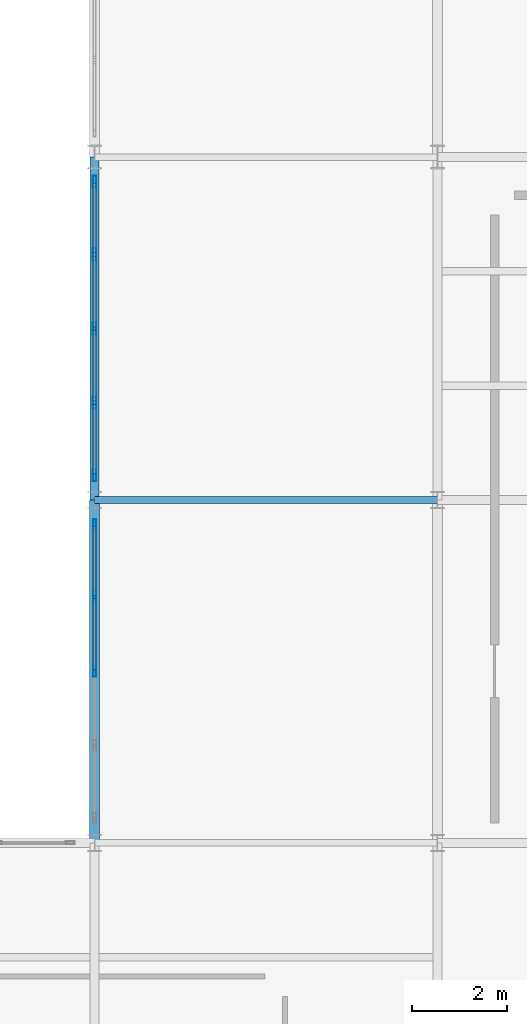
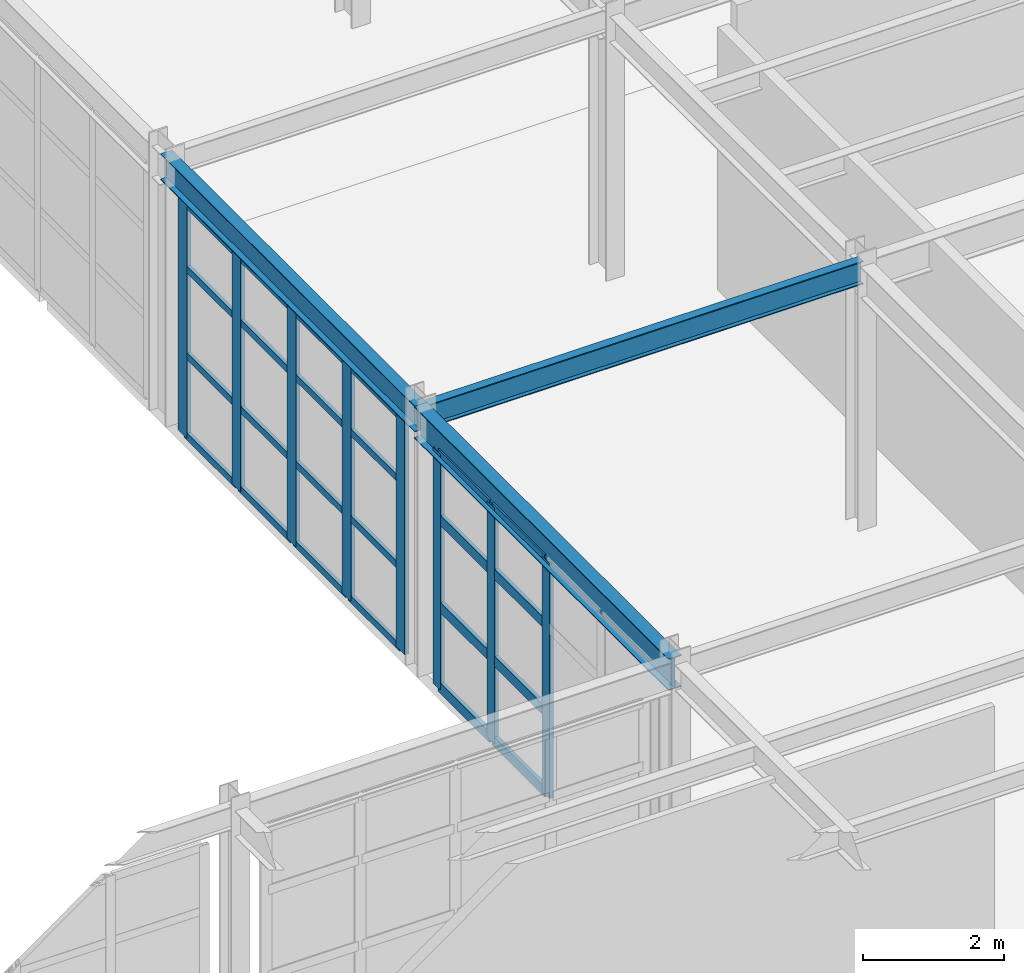
# One storey, part 34 of 121: 32 members, 3 beams, 2 elements without a shape of their own.
"""IFC4 building model written with IfcOpenShell, lengths in metres."""

from ifc_helpers import new_model, si_unit, direction, frame, origin, origin_2d, place, context, subcontext, project, spatial, hollow_rectangle, i_section, extrude, material, layer, layer_set, material_profile, profile_set, type_object, element, aggregate, save


model = new_model("IFC4")

# Units and contexts
model_context = context("Model", 3, precision=1e-05, world=origin(), true_north=direction((0.0, 1.0)))
body_context = subcontext(model_context, "Body", "Model", "MODEL_VIEW")
ifc_project = project(units=[si_unit("LENGTHUNIT", "METRE"), si_unit("AREAUNIT", "SQUARE_METRE"), si_unit("VOLUMEUNIT", "CUBIC_METRE"), si_unit("PLANEANGLEUNIT", "RADIAN"), si_unit("MASSUNIT", "GRAM", prefix="KILO")], contexts=[model_context])

# Site, building, storey
site_placement = place(None, origin())
site = spatial("IfcSite", under=ifc_project, at=site_placement, CompositionType="ELEMENT")
building_placement = place(site_placement, origin())
building = spatial("IfcBuilding", under=site, at=building_placement, Name="Solvadek Multi-Sports Hall", CompositionType="ELEMENT")
storey_placement = place(building_placement, frame((0.0, 0.0, 4.800048828125)))
storey = spatial("IfcBuildingStorey", under=building, at=storey_placement, Name="L01", CompositionType="ELEMENT", Elevation=4.800048828125)

# Curtain wall, members
ifc_material_1 = material(Name="Anodised aluminium", Category="aluminium")
ifc_layer_1 = layer(ifc_material_1, 0.159912109375, Name="Anodised aluminium")
ifc_layer_set_1 = layer_set([ifc_layer_1], Name="Anodised aluminium")
curtain_wall_type_1 = type_object("IfcCurtainWallType", Name="ENV-CW-624X408", PredefinedType="USERDEFINED", material=ifc_layer_set_1)
curtain_wall_1_placement = place(storey_placement, origin())
curtain_wall_1 = element("IfcCurtainWall", 1, at=curtain_wall_1_placement, inside=storey, type_object=curtain_wall_type_1, Name="L01 Perimeter Bay Curtain Wall #184", ObjectType="CURTAIN WALL", PredefinedType="USERDEFINED")
ifc_material_profile_1 = material_profile(ifc_material_1, hollow_rectangle(XDim=0.06494140625, YDim=0.219970703125, WallThickness=0.0048828125, at=origin_2d()), Name="ALU-M 220x65x5")
ifc_profile_set_1 = profile_set([ifc_material_profile_1], Name="Anodised aluminium")
member_type_1 = type_object("IfcMemberType", Name="ENV-CWM-04", PredefinedType="MULLION", material=ifc_profile_set_1)
member_1_placement = place(storey_placement, frame((57.60009765625, 24.0, 0.0), z_axis=(0.0, 0.0, 1.0), x_axis=(-1.0, 0.0, 0.0)))
member_1 = element("IfcMember", 2, at=member_1_placement, type_object=member_type_1, Name="CW-40 mullion 3", PredefinedType="MULLION", context=body_context, shape_type="SweptSolid", body=[
    extrude(hollow_rectangle(XDim=0.06494140625, YDim=0.219970703125, WallThickness=0.0048828125, at=origin_2d()), origin(), (0.0, 0.0, 1.0), 4.074951171875),
])
member_2_placement = place(storey_placement, frame((57.60009765625, 25.56005859375, 0.0), z_axis=(0.0, 0.0, 1.0), x_axis=(-1.0, 0.0, 0.0)))
member_2 = element("IfcMember", 3, at=member_2_placement, type_object=member_type_1, Name="CW-40 mullion 4", PredefinedType="MULLION", context=body_context, shape_type="SweptSolid", body=[
    extrude(hollow_rectangle(XDim=0.06494140625, YDim=0.219970703125, WallThickness=0.0048828125, at=origin_2d()), origin(), (0.0, 0.0, 1.0), 4.074951171875),
])
member_3_placement = place(storey_placement, frame((57.60009765625, 27.08740234375, 0.0), z_axis=(0.0, 0.0, 1.0), x_axis=(-1.0, 0.0, 0.0)))
member_3 = element("IfcMember", 4, at=member_3_placement, type_object=member_type_1, Name="CW-40 mullion 5", PredefinedType="MULLION", context=body_context, shape_type="SweptSolid", body=[
    extrude(hollow_rectangle(XDim=0.06494140625, YDim=0.219970703125, WallThickness=0.0048828125, at=origin_2d()), origin(), (0.0, 0.0, 1.0), 4.074951171875),
])

ifc_layer_2 = layer(ifc_material_1, 0.159912109375, Name="Anodised aluminium")
ifc_layer_set_2 = layer_set([ifc_layer_2], Name="Anodised aluminium")
curtain_wall_type_2 = type_object("IfcCurtainWallType", Name="ENV-CW-624X405", PredefinedType="USERDEFINED", material=ifc_layer_set_2)
curtain_wall_2_placement = place(storey_placement, origin())
curtain_wall_2 = element("IfcCurtainWall", 5, at=curtain_wall_2_placement, inside=storey, type_object=curtain_wall_type_2, Name="L01 Perimeter Bay Curtain Wall #190", ObjectType="CURTAIN WALL", PredefinedType="USERDEFINED")
ifc_material_profile_2 = material_profile(ifc_material_1, hollow_rectangle(XDim=0.070068359375, YDim=0.25, WallThickness=0.0048828125, at=origin_2d()), Name="ALU-M 250x70x5")
ifc_profile_set_2 = profile_set([ifc_material_profile_2], Name="Anodised aluminium")
member_type_2 = type_object("IfcMemberType", Name="ENV-CWM-05", PredefinedType="MULLION", material=ifc_profile_set_2)
member_4_placement = place(storey_placement, frame((57.60009765625, 28.114990234375, 0.0), z_axis=(0.0, 0.0, 1.0), x_axis=(-1.0, 0.0, 0.0)))
member_4 = element("IfcMember", 6, at=member_4_placement, type_object=member_type_2, Name="CW-52 mullion 1", PredefinedType="MULLION", context=body_context, shape_type="SweptSolid", body=[
    extrude(hollow_rectangle(XDim=0.070068359375, YDim=0.25, WallThickness=0.0048828125, at=origin_2d()), origin(), (0.0, 0.0, 1.0), 4.050048828125),
])
member_5_placement = place(storey_placement, frame((57.60009765625, 29.639892578125, 0.0), z_axis=(0.0, 0.0, 1.0), x_axis=(-1.0, 0.0, 0.0)))
member_5 = element("IfcMember", 7, at=member_5_placement, type_object=member_type_2, Name="CW-52 mullion 2", PredefinedType="MULLION", context=body_context, shape_type="SweptSolid", body=[
    extrude(hollow_rectangle(XDim=0.070068359375, YDim=0.25, WallThickness=0.0048828125, at=origin_2d()), origin(), (0.0, 0.0, 1.0), 4.050048828125),
])
member_6_placement = place(storey_placement, frame((57.60009765625, 31.199951171875, 0.0), z_axis=(0.0, 0.0, 1.0), x_axis=(-1.0, 0.0, 0.0)))
member_6 = element("IfcMember", 8, at=member_6_placement, type_object=member_type_2, Name="CW-52 mullion 3", PredefinedType="MULLION", context=body_context, shape_type="SweptSolid", body=[
    extrude(hollow_rectangle(XDim=0.070068359375, YDim=0.25, WallThickness=0.0048828125, at=origin_2d()), origin(), (0.0, 0.0, 1.0), 4.050048828125),
])
member_7_placement = place(storey_placement, frame((57.60009765625, 32.760009765625, 0.0), z_axis=(0.0, 0.0, 1.0), x_axis=(-1.0, 0.0, 0.0)))
member_7 = element("IfcMember", 9, at=member_7_placement, type_object=member_type_2, Name="CW-52 mullion 4", PredefinedType="MULLION", context=body_context, shape_type="SweptSolid", body=[
    extrude(hollow_rectangle(XDim=0.070068359375, YDim=0.25, WallThickness=0.0048828125, at=origin_2d()), origin(), (0.0, 0.0, 1.0), 4.050048828125),
])
member_8_placement = place(storey_placement, frame((57.60009765625, 34.284912109375, 0.0), z_axis=(0.0, 0.0, 1.0), x_axis=(-1.0, 0.0, 0.0)))
member_8 = element("IfcMember", 10, at=member_8_placement, type_object=member_type_2, Name="CW-52 mullion 5", PredefinedType="MULLION", context=body_context, shape_type="SweptSolid", body=[
    extrude(hollow_rectangle(XDim=0.070068359375, YDim=0.25, WallThickness=0.0048828125, at=origin_2d()), origin(), (0.0, 0.0, 1.0), 4.050048828125),
])
ifc_material_profile_3 = material_profile(ifc_material_1, hollow_rectangle(XDim=0.06005859375, YDim=0.1201171875, WallThickness=0.00390625, at=origin_2d()), Name="ALU-T 120x60x4")
ifc_profile_set_3 = profile_set([ifc_material_profile_3], Name="Anodised aluminium")
member_type_3 = type_object("IfcMemberType", Name="ENV-CWT-01", PredefinedType="USERDEFINED", material=ifc_profile_set_3)
member_9_placement = place(storey_placement, frame((57.60009765625, 28.14990234375, 0.030029296875), z_axis=(0.0, 1.0, 0.0), x_axis=(-1.0, 0.0, 0.0)))
member_9 = element("IfcMember", 11, at=member_9_placement, type_object=member_type_3, Name="CW-52 transom 1.1", ObjectType="TRANSOM", PredefinedType="USERDEFINED", context=body_context, shape_type="SweptSolid", body=[
    extrude(hollow_rectangle(XDim=0.06005859375, YDim=0.1201171875, WallThickness=0.00390625, at=origin_2d()), origin(), (0.0, 0.0, 1.0), 1.455078125),
])
member_10_placement = place(storey_placement, frame((57.60009765625, 28.14990234375, 1.4169921875), z_axis=(0.0, 1.0, 0.0), x_axis=(-1.0, 0.0, 0.0)))
member_10 = element("IfcMember", 12, at=member_10_placement, type_object=member_type_3, Name="CW-52 transom 1.2", ObjectType="TRANSOM", PredefinedType="USERDEFINED", context=body_context, shape_type="SweptSolid", body=[
    extrude(hollow_rectangle(XDim=0.06005859375, YDim=0.1201171875, WallThickness=0.00390625, at=origin_2d()), origin(), (0.0, 0.0, 1.0), 1.455078125),
])
member_11_placement = place(storey_placement, frame((57.60009765625, 28.14990234375, 2.916015625), z_axis=(0.0, 1.0, 0.0), x_axis=(-1.0, 0.0, 0.0)))
member_11 = element("IfcMember", 13, at=member_11_placement, type_object=member_type_3, Name="CW-52 transom 1.3", ObjectType="TRANSOM", PredefinedType="USERDEFINED", context=body_context, shape_type="SweptSolid", body=[
    extrude(hollow_rectangle(XDim=0.06005859375, YDim=0.1201171875, WallThickness=0.00390625, at=origin_2d()), origin(), (0.0, 0.0, 1.0), 1.455078125),
])
member_12_placement = place(storey_placement, frame((57.60009765625, 28.14990234375, 4.02001953125), z_axis=(0.0, 1.0, 0.0), x_axis=(-1.0, 0.0, 0.0)))
member_12 = element("IfcMember", 14, at=member_12_placement, type_object=member_type_3, Name="CW-52 transom 1.4", ObjectType="TRANSOM", PredefinedType="USERDEFINED", context=body_context, shape_type="SweptSolid", body=[
    extrude(hollow_rectangle(XDim=0.06005859375, YDim=0.1201171875, WallThickness=0.00390625, at=origin_2d()), origin(), (0.0, 0.0, 1.0), 1.455078125),
])
member_13_placement = place(storey_placement, frame((57.60009765625, 29.675048828125, 0.030029296875), z_axis=(0.0, 1.0, 0.0), x_axis=(-1.0, 0.0, 0.0)))
member_13 = element("IfcMember", 15, at=member_13_placement, type_object=member_type_3, Name="CW-52 transom 2.1", ObjectType="TRANSOM", PredefinedType="USERDEFINED", context=body_context, shape_type="SweptSolid", body=[
    extrude(hollow_rectangle(XDim=0.06005859375, YDim=0.1201171875, WallThickness=0.00390625, at=origin_2d()), origin(), (0.0, 0.0, 1.0), 1.489990234375),
])
member_14_placement = place(storey_placement, frame((57.60009765625, 29.675048828125, 1.4169921875), z_axis=(0.0, 1.0, 0.0), x_axis=(-1.0, 0.0, 0.0)))
member_14 = element("IfcMember", 16, at=member_14_placement, type_object=member_type_3, Name="CW-52 transom 2.2", ObjectType="TRANSOM", PredefinedType="USERDEFINED", context=body_context, shape_type="SweptSolid", body=[
    extrude(hollow_rectangle(XDim=0.06005859375, YDim=0.1201171875, WallThickness=0.00390625, at=origin_2d()), origin(), (0.0, 0.0, 1.0), 1.489990234375),
])
member_15_placement = place(storey_placement, frame((57.60009765625, 29.675048828125, 2.916015625), z_axis=(0.0, 1.0, 0.0), x_axis=(-1.0, 0.0, 0.0)))
member_15 = element("IfcMember", 17, at=member_15_placement, type_object=member_type_3, Name="CW-52 transom 2.3", ObjectType="TRANSOM", PredefinedType="USERDEFINED", context=body_context, shape_type="SweptSolid", body=[
    extrude(hollow_rectangle(XDim=0.06005859375, YDim=0.1201171875, WallThickness=0.00390625, at=origin_2d()), origin(), (0.0, 0.0, 1.0), 1.489990234375),
])
member_16_placement = place(storey_placement, frame((57.60009765625, 29.675048828125, 4.02001953125), z_axis=(0.0, 1.0, 0.0), x_axis=(-1.0, 0.0, 0.0)))
member_16 = element("IfcMember", 18, at=member_16_placement, type_object=member_type_3, Name="CW-52 transom 2.4", ObjectType="TRANSOM", PredefinedType="USERDEFINED", context=body_context, shape_type="SweptSolid", body=[
    extrude(hollow_rectangle(XDim=0.06005859375, YDim=0.1201171875, WallThickness=0.00390625, at=origin_2d()), origin(), (0.0, 0.0, 1.0), 1.489990234375),
])
member_17_placement = place(storey_placement, frame((57.60009765625, 31.235107421875, 0.030029296875), z_axis=(0.0, 1.0, 0.0), x_axis=(-1.0, 0.0, 0.0)))
member_17 = element("IfcMember", 19, at=member_17_placement, type_object=member_type_3, Name="CW-52 transom 3.1", ObjectType="TRANSOM", PredefinedType="USERDEFINED", context=body_context, shape_type="SweptSolid", body=[
    extrude(hollow_rectangle(XDim=0.06005859375, YDim=0.1201171875, WallThickness=0.00390625, at=origin_2d()), origin(), (0.0, 0.0, 1.0), 1.489990234375),
])
member_18_placement = place(storey_placement, frame((57.60009765625, 31.235107421875, 1.4169921875), z_axis=(0.0, 1.0, 0.0), x_axis=(-1.0, 0.0, 0.0)))
member_18 = element("IfcMember", 20, at=member_18_placement, type_object=member_type_3, Name="CW-52 transom 3.2", ObjectType="TRANSOM", PredefinedType="USERDEFINED", context=body_context, shape_type="SweptSolid", body=[
    extrude(hollow_rectangle(XDim=0.06005859375, YDim=0.1201171875, WallThickness=0.00390625, at=origin_2d()), origin(), (0.0, 0.0, 1.0), 1.489990234375),
])
member_19_placement = place(storey_placement, frame((57.60009765625, 31.235107421875, 2.916015625), z_axis=(0.0, 1.0, 0.0), x_axis=(-1.0, 0.0, 0.0)))
member_19 = element("IfcMember", 21, at=member_19_placement, type_object=member_type_3, Name="CW-52 transom 3.3", ObjectType="TRANSOM", PredefinedType="USERDEFINED", context=body_context, shape_type="SweptSolid", body=[
    extrude(hollow_rectangle(XDim=0.06005859375, YDim=0.1201171875, WallThickness=0.00390625, at=origin_2d()), origin(), (0.0, 0.0, 1.0), 1.489990234375),
])
member_20_placement = place(storey_placement, frame((57.60009765625, 31.235107421875, 4.02001953125), z_axis=(0.0, 1.0, 0.0), x_axis=(-1.0, 0.0, 0.0)))
member_20 = element("IfcMember", 22, at=member_20_placement, type_object=member_type_3, Name="CW-52 transom 3.4", ObjectType="TRANSOM", PredefinedType="USERDEFINED", context=body_context, shape_type="SweptSolid", body=[
    extrude(hollow_rectangle(XDim=0.06005859375, YDim=0.1201171875, WallThickness=0.00390625, at=origin_2d()), origin(), (0.0, 0.0, 1.0), 1.489990234375),
])
member_21_placement = place(storey_placement, frame((57.60009765625, 32.794921875, 0.030029296875), z_axis=(0.0, 1.0, 0.0), x_axis=(-1.0, 0.0, 0.0)))
member_21 = element("IfcMember", 23, at=member_21_placement, type_object=member_type_3, Name="CW-52 transom 4.1", ObjectType="TRANSOM", PredefinedType="USERDEFINED", context=body_context, shape_type="SweptSolid", body=[
    extrude(hollow_rectangle(XDim=0.06005859375, YDim=0.1201171875, WallThickness=0.00390625, at=origin_2d()), origin(), (0.0, 0.0, 1.0), 1.455078125),
])
member_22_placement = place(storey_placement, frame((57.60009765625, 32.794921875, 1.4169921875), z_axis=(0.0, 1.0, 0.0), x_axis=(-1.0, 0.0, 0.0)))
member_22 = element("IfcMember", 24, at=member_22_placement, type_object=member_type_3, Name="CW-52 transom 4.2", ObjectType="TRANSOM", PredefinedType="USERDEFINED", context=body_context, shape_type="SweptSolid", body=[
    extrude(hollow_rectangle(XDim=0.06005859375, YDim=0.1201171875, WallThickness=0.00390625, at=origin_2d()), origin(), (0.0, 0.0, 1.0), 1.455078125),
])
member_23_placement = place(storey_placement, frame((57.60009765625, 32.794921875, 2.916015625), z_axis=(0.0, 1.0, 0.0), x_axis=(-1.0, 0.0, 0.0)))
member_23 = element("IfcMember", 25, at=member_23_placement, type_object=member_type_3, Name="CW-52 transom 4.3", ObjectType="TRANSOM", PredefinedType="USERDEFINED", context=body_context, shape_type="SweptSolid", body=[
    extrude(hollow_rectangle(XDim=0.06005859375, YDim=0.1201171875, WallThickness=0.00390625, at=origin_2d()), origin(), (0.0, 0.0, 1.0), 1.455078125),
])
member_24_placement = place(storey_placement, frame((57.60009765625, 32.794921875, 4.02001953125), z_axis=(0.0, 1.0, 0.0), x_axis=(-1.0, 0.0, 0.0)))
member_24 = element("IfcMember", 26, at=member_24_placement, type_object=member_type_3, Name="CW-52 transom 4.4", ObjectType="TRANSOM", PredefinedType="USERDEFINED", context=body_context, shape_type="SweptSolid", body=[
    extrude(hollow_rectangle(XDim=0.06005859375, YDim=0.1201171875, WallThickness=0.00390625, at=origin_2d()), origin(), (0.0, 0.0, 1.0), 1.455078125),
])
aggregate(curtain_wall_2, [member_4, member_5, member_6, member_7, member_8, member_9, member_10, member_11, member_12, member_13, member_14, member_15, member_16, member_17, member_18, member_19, member_20, member_21, member_22, member_23, member_24])

# Member
ifc_material_profile_4 = material_profile(ifc_material_1, hollow_rectangle(XDim=0.06494140625, YDim=0.179931640625, WallThickness=0.0048828125, at=origin_2d()), Name="ALU-T 180x65x5")
ifc_profile_set_4 = profile_set([ifc_material_profile_4], Name="Anodised aluminium")
member_type_4 = type_object("IfcMemberType", Name="ENV-CWT-04", PredefinedType="USERDEFINED", material=ifc_profile_set_4)
member_25_placement = place(storey_placement, frame((57.60009765625, 24.032470703125, 0.032470703125), z_axis=(0.0, 1.0, 0.0), x_axis=(-1.0, 0.0, 0.0)))
member_25 = element("IfcMember", 27, at=member_25_placement, type_object=member_type_4, Name="CW-40 transom 3.1", ObjectType="TRANSOM", PredefinedType="USERDEFINED", context=body_context, shape_type="SweptSolid", body=[
    extrude(hollow_rectangle(XDim=0.06494140625, YDim=0.179931640625, WallThickness=0.0048828125, at=origin_2d()), origin(), (0.0, 0.0, 1.0), 1.4951171875),
])

member_26_placement = place(storey_placement, frame((57.60009765625, 24.032470703125, 1.426025390625), z_axis=(0.0, 1.0, 0.0), x_axis=(-1.0, 0.0, 0.0)))
member_26 = element("IfcMember", 28, at=member_26_placement, type_object=member_type_4, Name="CW-40 transom 3.2", ObjectType="TRANSOM", PredefinedType="USERDEFINED", context=body_context, shape_type="SweptSolid", body=[
    extrude(hollow_rectangle(XDim=0.06494140625, YDim=0.179931640625, WallThickness=0.0048828125, at=origin_2d()), origin(), (0.0, 0.0, 1.0), 1.4951171875),
])

member_27_placement = place(storey_placement, frame((57.60009765625, 24.032470703125, 2.933837890625), z_axis=(0.0, 1.0, 0.0), x_axis=(-1.0, 0.0, 0.0)))
member_27 = element("IfcMember", 29, at=member_27_placement, type_object=member_type_4, Name="CW-40 transom 3.3", ObjectType="TRANSOM", PredefinedType="USERDEFINED", context=body_context, shape_type="SweptSolid", body=[
    extrude(hollow_rectangle(XDim=0.06494140625, YDim=0.179931640625, WallThickness=0.0048828125, at=origin_2d()), origin(), (0.0, 0.0, 1.0), 1.4951171875),
])

member_28_placement = place(storey_placement, frame((57.60009765625, 24.032470703125, 4.04248046875), z_axis=(0.0, 1.0, 0.0), x_axis=(-1.0, 0.0, 0.0)))
member_28 = element("IfcMember", 30, at=member_28_placement, type_object=member_type_4, Name="CW-40 transom 3.4", ObjectType="TRANSOM", PredefinedType="USERDEFINED", context=body_context, shape_type="SweptSolid", body=[
    extrude(hollow_rectangle(XDim=0.06494140625, YDim=0.179931640625, WallThickness=0.0048828125, at=origin_2d()), origin(), (0.0, 0.0, 1.0), 1.4951171875),
])

member_29_placement = place(storey_placement, frame((57.60009765625, 25.592529296875, 0.032470703125), z_axis=(0.0, 1.0, 0.0), x_axis=(-1.0, 0.0, 0.0)))
member_29 = element("IfcMember", 31, at=member_29_placement, type_object=member_type_4, Name="CW-40 transom 4.1", ObjectType="TRANSOM", PredefinedType="USERDEFINED", context=body_context, shape_type="SweptSolid", body=[
    extrude(hollow_rectangle(XDim=0.06494140625, YDim=0.179931640625, WallThickness=0.0048828125, at=origin_2d()), origin(), (0.0, 0.0, 1.0), 1.46240234375),
])

member_30_placement = place(storey_placement, frame((57.60009765625, 25.592529296875, 1.426025390625), z_axis=(0.0, 1.0, 0.0), x_axis=(-1.0, 0.0, 0.0)))
member_30 = element("IfcMember", 32, at=member_30_placement, type_object=member_type_4, Name="CW-40 transom 4.2", ObjectType="TRANSOM", PredefinedType="USERDEFINED", context=body_context, shape_type="SweptSolid", body=[
    extrude(hollow_rectangle(XDim=0.06494140625, YDim=0.179931640625, WallThickness=0.0048828125, at=origin_2d()), origin(), (0.0, 0.0, 1.0), 1.46240234375),
])

member_31_placement = place(storey_placement, frame((57.60009765625, 25.592529296875, 2.933837890625), z_axis=(0.0, 1.0, 0.0), x_axis=(-1.0, 0.0, 0.0)))
member_31 = element("IfcMember", 33, at=member_31_placement, type_object=member_type_4, Name="CW-40 transom 4.3", ObjectType="TRANSOM", PredefinedType="USERDEFINED", context=body_context, shape_type="SweptSolid", body=[
    extrude(hollow_rectangle(XDim=0.06494140625, YDim=0.179931640625, WallThickness=0.0048828125, at=origin_2d()), origin(), (0.0, 0.0, 1.0), 1.46240234375),
])

member_32_placement = place(storey_placement, frame((57.60009765625, 25.592529296875, 4.04248046875), z_axis=(0.0, 1.0, 0.0), x_axis=(-1.0, 0.0, 0.0)))
member_32 = element("IfcMember", 34, at=member_32_placement, type_object=member_type_4, Name="CW-40 transom 4.4", ObjectType="TRANSOM", PredefinedType="USERDEFINED", context=body_context, shape_type="SweptSolid", body=[
    extrude(hollow_rectangle(XDim=0.06494140625, YDim=0.179931640625, WallThickness=0.0048828125, at=origin_2d()), origin(), (0.0, 0.0, 1.0), 1.46240234375),
])

aggregate(curtain_wall_1, [member_1, member_2, member_3, member_25, member_26, member_27, member_28, member_29, member_30, member_31, member_32])

# Beams
ifc_material_2 = material(Name="Steel E350 (350 MPa)", Category="steel")
ifc_material_profile_5 = material_profile(ifc_material_2, i_section(OverallWidth=0.139892578125, OverallDepth=0.39990234375, WebThickness=0.0087890625, FlangeThickness=0.01611328125, at=origin_2d()), Name="ISMB 400")
ifc_profile_set_5 = profile_set([ifc_material_profile_5], Name="Steel E350 (350 MPa)")
beam_type_1 = type_object("IfcBeamType", Name="STR-BM-ISMB400", PredefinedType="BEAM", material=ifc_profile_set_5)
beam_1_placement = place(storey_placement, frame((57.60009765625, 27.60009765625, 4.35986328125), z_axis=(1.0, 0.0, 0.0), x_axis=(0.0, 1.0, 0.0)))
element("IfcBeam", 35, at=beam_1_placement, inside=storey, type_object=beam_type_1, Name="L01 Girder B-10 #980", PredefinedType="BEAM", context=body_context, shape_type="SweptSolid", body=[
    extrude(i_section(OverallWidth=0.139892578125, OverallDepth=0.39990234375, WebThickness=0.0087890625, FlangeThickness=0.01611328125, at=origin_2d()), origin(), (0.0, 0.0, 1.0), 7.199951171875),
])
ifc_material_profile_6 = material_profile(ifc_material_2, i_section(OverallWidth=0.18994140625, OverallDepth=0.449951171875, WebThickness=0.009521484375, FlangeThickness=0.0146484375, at=origin_2d()), Name="NPB 450")
ifc_profile_set_6 = profile_set([ifc_material_profile_6], Name="Steel E350 (350 MPa)")
beam_type_2 = type_object("IfcBeamType", Name="STR-BM-NPB450", PredefinedType="BEAM", material=ifc_profile_set_6)
beam_2_placement = place(storey_placement, frame((57.60009765625, 27.60009765625, 4.3349609375), z_axis=(0.0, 1.0, 0.0), x_axis=(-1.0, 0.0, 0.0)))
element("IfcBeam", 36, at=beam_2_placement, inside=storey, type_object=beam_type_2, Name="L01 Girder B-08 #1213", PredefinedType="BEAM", context=body_context, shape_type="SweptSolid", body=[
    extrude(i_section(OverallWidth=0.18994140625, OverallDepth=0.449951171875, WebThickness=0.009521484375, FlangeThickness=0.0146484375, at=origin_2d()), origin(), (0.0, 0.0, 1.0), 7.199951171875),
])
ifc_material_profile_7 = material_profile(ifc_material_2, i_section(OverallWidth=0.2099609375, OverallDepth=0.550048828125, WebThickness=0.010986328125, FlangeThickness=0.01708984375, at=origin_2d()), Name="NPB 550")
ifc_profile_set_7 = profile_set([ifc_material_profile_7], Name="Steel E350 (350 MPa)")
beam_type_3 = type_object("IfcBeamType", Name="STR-BM-NPB550", PredefinedType="BEAM", material=ifc_profile_set_7)
beam_3_placement = place(storey_placement, frame((57.60009765625, 20.39990234375, 4.284912109375), z_axis=(0.0, 1.0, 0.0), x_axis=(-1.0, 0.0, 0.0)))
element("IfcBeam", 37, at=beam_3_placement, inside=storey, type_object=beam_type_3, Name="L01 Girder B-05 #1212", PredefinedType="BEAM", context=body_context, shape_type="SweptSolid", body=[
    extrude(i_section(OverallWidth=0.2099609375, OverallDepth=0.550048828125, WebThickness=0.010986328125, FlangeThickness=0.01708984375, at=origin_2d()), origin(), (0.0, 0.0, 1.0), 7.2001953125),
])

save(model, "model.ifc")
